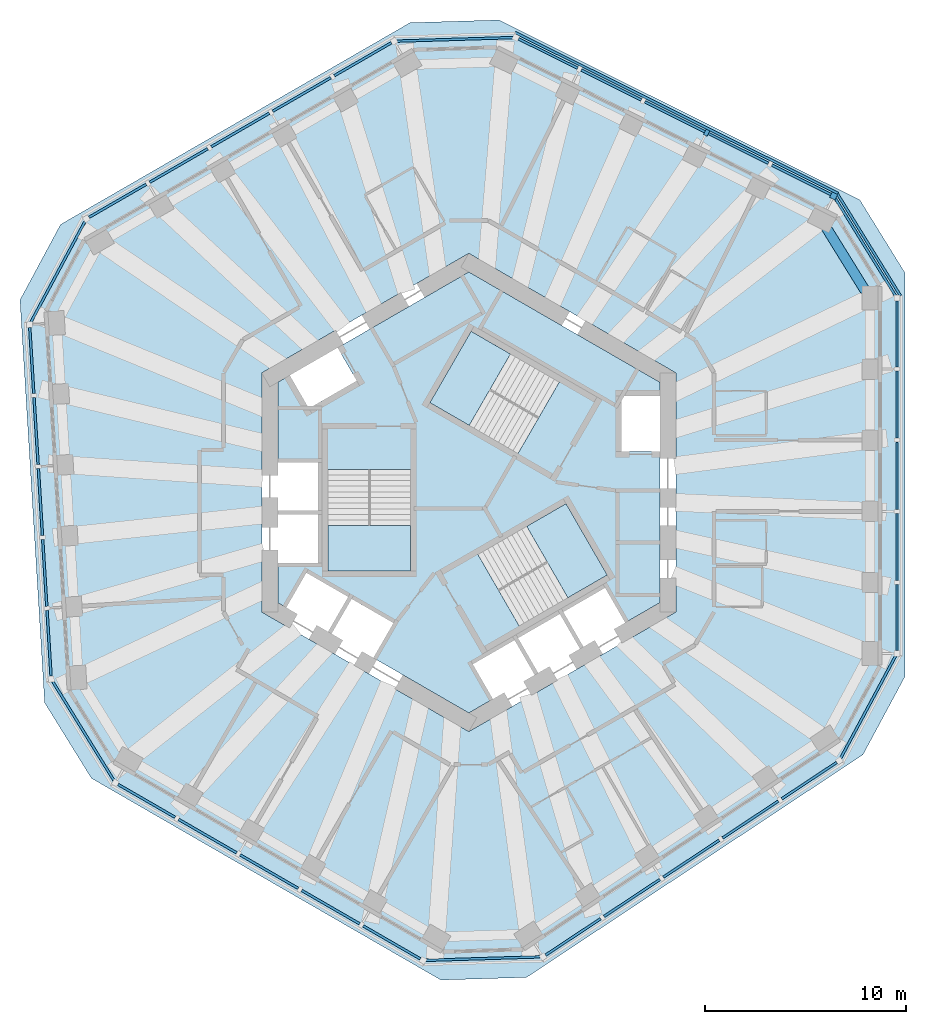
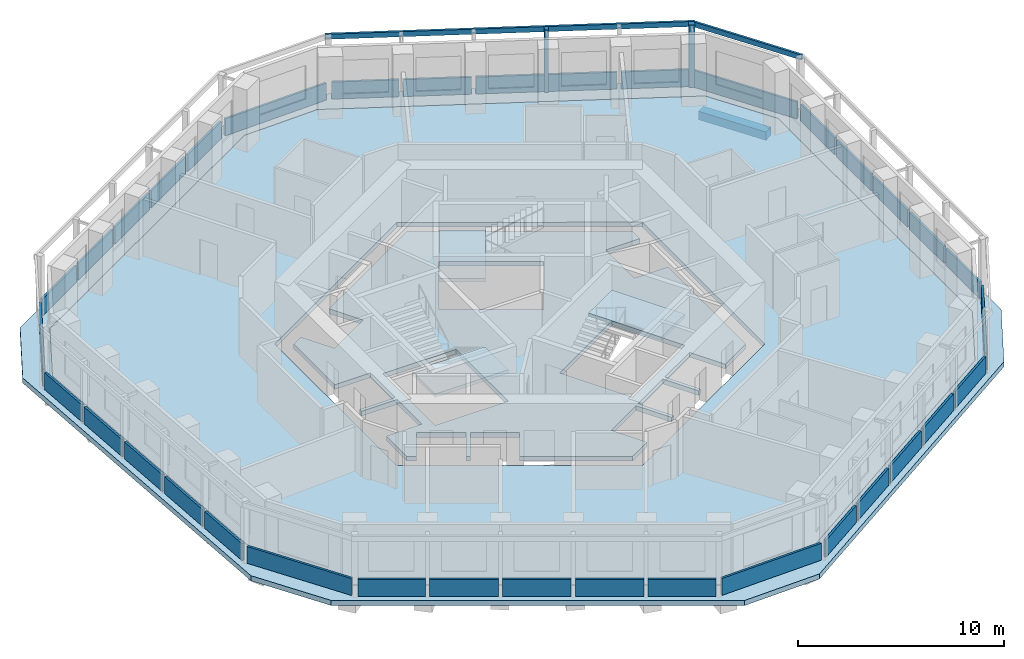
# One storey, part 3 of 11: 36 plates, 6 slabs, 4 members, 1 beam, 15 elements without a shape of their own.
"""IFC4 building model written with IfcOpenShell, lengths in metres."""

from ifc_helpers import new_model, si_unit, direction, frame, origin, origin_2d, place, context, subcontext, project, spatial, polyline, rectangle, outline, extrude, material, layer, layer_set, material_profile, profile_set, type_object, element, aggregate, save


model = new_model("IFC4")

# Units and contexts
model_context = context("Model", 3, precision=1e-05, world=origin(), true_north=direction((0.0, 1.0)))
body_context = subcontext(model_context, "Body", "Model", "MODEL_VIEW")
ifc_project = project(units=[si_unit("LENGTHUNIT", "METRE"), si_unit("AREAUNIT", "SQUARE_METRE"), si_unit("VOLUMEUNIT", "CUBIC_METRE"), si_unit("PLANEANGLEUNIT", "RADIAN"), si_unit("MASSUNIT", "GRAM", prefix="KILO")], contexts=[model_context])

# Site, building, storey
site_placement = place(None, origin())
site = spatial("IfcSite", under=ifc_project, at=site_placement, CompositionType="ELEMENT")
building_placement = place(site_placement, origin())
building = spatial("IfcBuilding", under=site, at=building_placement, Name="Vanh Sen Convention Tower", CompositionType="ELEMENT")
storey_placement = place(building_placement, frame((0.0, 0.0, 210.60009765625)))
storey = spatial("IfcBuildingStorey", under=building, at=storey_placement, Name="L52", CompositionType="ELEMENT", Elevation=210.60009765625)

# Curtain wall, members
ifc_material_1 = material(Name="Concrete C50/60", Category="concrete")
curtain_wall_type = type_object("IfcCurtainWallType", Name="Outer skin office zone", PredefinedType="NOTDEFINED", material=ifc_material_1)
curtain_wall_1_placement = place(storey_placement, origin())
curtain_wall_1 = element("IfcCurtainWall", 1, at=curtain_wall_1_placement, inside=storey, type_object=curtain_wall_type, Name="OUTER SKIN NE L52", PredefinedType="NOTDEFINED")
ifc_material_profile_1 = material_profile(ifc_material_1, rectangle(XDim=0.300048828125, YDim=0.300048828125, at=origin_2d()), Name="Outer skin precast corner fin 300 x 300")
ifc_profile_set_1 = profile_set([ifc_material_profile_1], Name="Concrete C50/60")
member_type_1 = type_object("IfcMemberType", Name="Outer skin precast corner fin 300 x 300", PredefinedType="MULLION", material=ifc_profile_set_1)
member_1_placement = place(storey_placement, frame((18.15380859375, 14.74951171875, 0.0), z_axis=(0.0, 0.0, 1.0), x_axis=(-0.894934361602, 0.44619781311, 0.0)))
member_1 = element("IfcMember", 2, at=member_1_placement, type_object=member_type_1, Name="OUTER SKIN CORNER FIN 1 NE L52", PredefinedType="MULLION", context=body_context, shape_type="SweptSolid", body=[
    extrude(rectangle(XDim=0.300048828125, YDim=0.300048828125, at=origin_2d()), origin(), (0.0, 0.0, 1.0), 3.699951171875),
])
ifc_material_profile_2 = material_profile(ifc_material_1, rectangle(XDim=0.199951171875, YDim=0.300048828125, at=origin_2d()), Name="Outer skin precast fin 200 x 300")
ifc_profile_set_2 = profile_set([ifc_material_profile_2], Name="Concrete C50/60")
member_type_2 = type_object("IfcMemberType", Name="Outer skin precast fin 200 x 300", PredefinedType="MULLION", material=ifc_profile_set_2)
member_2_placement = place(storey_placement, frame((11.8291015625, 17.90283203125, 0.0), z_axis=(0.0, 0.0, 1.0), x_axis=(-0.894934361602, 0.44619781311, 0.0)))
member_2 = element("IfcMember", 3, at=member_2_placement, type_object=member_type_2, Name="OUTER SKIN fin 3 NE L52", PredefinedType="MULLION", context=body_context, shape_type="SweptSolid", body=[
    extrude(rectangle(XDim=0.199951171875, YDim=0.300048828125, at=origin_2d()), origin(), (0.0, 0.0, 1.0), 3.699951171875),
])

# Curtain wall, member
curtain_wall_2_placement = place(storey_placement, origin())
curtain_wall_2 = element("IfcCurtainWall", 4, at=curtain_wall_2_placement, inside=storey, type_object=curtain_wall_type, Name="OUTER SKIN CH1 L52", PredefinedType="NOTDEFINED")
ifc_material_profile_3 = material_profile(ifc_material_1, rectangle(XDim=0.1201171875, YDim=0.300048828125, at=origin_2d()), Name="Outer skin precast spandrel band 300 x 120")
ifc_profile_set_3 = profile_set([ifc_material_profile_3], Name="Concrete C50/60")
member_type_3 = type_object("IfcMemberType", Name="Outer skin precast spandrel band 300 x 120", PredefinedType="USERDEFINED", material=ifc_profile_set_3)
member_3_placement = place(storey_placement, frame((21.478515625, 9.77587890625, 3.5498046875), z_axis=(-0.526187318786, 0.850368688011, 0.0), x_axis=(-0.850368688011, -0.526187318786, 0.0)))
member_3 = element("IfcMember", 5, at=member_3_placement, type_object=member_type_3, Name="OUTER SKIN spandrel band CH1 L52", ObjectType="TRANSOM", PredefinedType="USERDEFINED", context=body_context, shape_type="SweptSolid", body=[
    extrude(rectangle(XDim=0.1201171875, YDim=0.300048828125, at=origin_2d()), origin(), (0.0, 0.0, 1.0), 5.978759765625),
])

# Member
member_4_placement = place(storey_placement, frame((18.3818359375, 14.87060546875, 3.5498046875), z_axis=(-0.894940208367, 0.446186086121, 0.0), x_axis=(-0.446186086121, -0.894940208367, 0.0)))
member_4 = element("IfcMember", 6, at=member_4_placement, type_object=member_type_3, Name="OUTER SKIN spandrel band NE L52", ObjectType="TRANSOM", PredefinedType="USERDEFINED", context=body_context, shape_type="SweptSolid", body=[
    extrude(rectangle(XDim=0.1201171875, YDim=0.300048828125, at=origin_2d()), origin(), (0.0, 0.0, 1.0), 17.968017578125),
])

# Beam
ifc_material_2 = material(Name="Concrete C50/60", Category="concrete")
ifc_material_profile_4 = material_profile(ifc_material_2, rectangle(XDim=0.5, YDim=0.5, at=origin_2d()), Name="RC 500X500")
ifc_profile_set_4 = profile_set([ifc_material_profile_4], Name="Concrete C50/60")
beam_type = type_object("IfcBeamType", Name="Spandrel beam 500 x 500", PredefinedType="SPANDREL", material=ifc_profile_set_4)
beam_placement = place(storey_placement, frame((19.728271484375, 10.023681640625, -0.530029296875), z_axis=(-0.526207566628, 0.850356158808, 0.0), x_axis=(-0.850356158808, -0.526207566628, 0.0)))
element("IfcBeam", 7, at=beam_placement, inside=storey, type_object=beam_type, Name="Spandrel beam 06 L52", PredefinedType="SPANDREL", context=body_context, shape_type="SweptSolid", body=[
    extrude(rectangle(XDim=0.5, YDim=0.5, at=origin_2d()), origin(), (0.0, 0.0, 1.0), 3.71533203125),
])

# Slabs
ifc_material_3 = material(Name="Concrete C40/50", Category="concrete")
ifc_layer_1 = layer(ifc_material_3, 0.280029296875)
ifc_layer_set_1 = layer_set([ifc_layer_1], Name="Concrete C40/50")
slab_type_1 = type_object("IfcSlabType", Name="Core slab 280", PredefinedType="FLOOR", material=ifc_layer_set_1)
slab_1_placement = place(storey_placement, frame((0.0, 0.0, -0.280029296875)))
element("IfcSlab", 8, at=slab_1_placement, inside=storey, type_object=slab_type_1, Name="Core slab L52", PredefinedType="FLOOR", context=body_context, shape_type="SweptSolid", body=[
    extrude(outline(polyline([(0.0, 10.9697265625), (9.5, 5.48486328125), (9.5, 4.800048828125), (7.60009765625, 4.800048828125), (7.60009765625, 2.050048828125), (9.5, 2.050048828125), (9.5, -5.48486328125), (7.781005859375, -6.477294921875), (6.781005859375, -4.7451171875), (4.70263671875, -5.9453125), (5.70263671875, -7.67724609375), (5.529296875, -7.777099609375), (4.529296875, -6.045166015625), (2.450927734375, -7.2451171875), (3.450927734375, -8.977294921875), (3.27783203125, -9.0771484375), (2.27783203125, -7.34521484375), (0.19921875, -8.545166015625), (1.19921875, -10.277099609375), (0.0, -10.9697265625), (-4.75, -8.227294921875), (-3.75, -6.4951171875), (-5.82861328125, -5.295166015625), (-6.82861328125, -7.027099609375), (-7.001708984375, -6.92724609375), (-6.001708984375, -5.1953125), (-8.080078125, -3.9951171875), (-9.080078125, -5.727294921875), (-9.5, -5.48486328125), (-9.5, -3.5), (-7.5, -3.5), (-7.5, -1.10009765625), (-9.5, -1.10009765625), (-9.5, -0.89990234375), (-7.5, -0.89990234375), (-7.5, 1.5), (-9.5, 1.5), (-9.5, 5.48486328125), (-8.906982421875, 5.8271484375), (-7.956787109375, 4.181884765625), (-5.575439453125, 5.556884765625), (-6.525390625, 7.2021484375), (0.0, 10.9697265625)]), holes=[polyline([(-7.0, 1.1494140625), (-7.0, -3.909912109375), (-2.89990234375, -3.909912109375), (-2.89990234375, 1.1494140625), (-7.0, 1.1494140625)]), polyline([(2.504638671875, -6.63671875), (6.88623046875, -4.107177734375), (4.836181640625, -0.556396484375), (0.45458984375, -3.086181640625), (2.504638671875, -6.63671875)]), polyline([(0.11376953125, 8.01708984375), (-1.936279296875, 4.466552734375), (2.4453125, 1.936767578125), (4.495361328125, 5.487548828125), (0.11376953125, 8.01708984375)])]), origin(), (0.0, 0.0, 1.0), 0.280029296875),
])
ifc_layer_2 = layer(ifc_material_3, 0.280029296875)
ifc_layer_set_2 = layer_set([ifc_layer_2], Name="Concrete C40/50")
slab_type_2 = type_object("IfcSlabType", Name="Floor slab 280 REI 120", PredefinedType="FLOOR", material=ifc_layer_set_2)
slab_2_placement = place(storey_placement, frame((0.0, 0.0, -0.280029296875)))
element("IfcSlab", 9, at=slab_2_placement, inside=storey, type_object=slab_type_2, Name="Floor slab L52 tower", PredefinedType="FLOOR", context=body_context, shape_type="SweptSolid", body=[
    extrude(outline(polyline([(20.39990234375, -8.602783203125), (20.39990234375, 10.265380859375), (18.289306640625, 13.67626953125), (1.403564453125, 22.09521484375), (-2.749755859375, 21.96826171875), (-19.090087890625, 12.5341796875), (-20.988525390625, 9.000732421875), (-19.8369140625, -9.83203125), (-17.650146484375, -13.365478515625), (-1.309814453125, -22.799560546875), (2.699462890625, -22.677001953125), (18.433349609375, -12.26318359375), (20.39990234375, -8.602783203125)]), holes=[polyline([(0.0, 11.893310546875), (-10.300048828125, 5.94677734375), (-10.300048828125, -5.94677734375), (0.0, -11.893310546875), (10.300048828125, -5.94677734375), (10.300048828125, 5.94677734375), (0.0, 11.893310546875)])]), origin(), (0.0, 0.0, 1.0), 0.280029296875),
])

# Curtain wall, plates
curtain_wall_3_placement = place(storey_placement, origin())
curtain_wall_3 = element("IfcCurtainWall", 10, at=curtain_wall_3_placement, inside=storey, type_object=curtain_wall_type, Name="OUTER SKIN E L52", PredefinedType="NOTDEFINED")
ifc_layer_3 = layer(ifc_material_1, 0.1201171875)
ifc_layer_set_3 = layer_set([ifc_layer_3], Name="Concrete C50/60")
plate_type = type_object("IfcPlateType", Name="Outer skin precast screen panel 120", PredefinedType="CURTAIN_PANEL", material=ifc_layer_set_3)
plate_1_placement = place(storey_placement, frame((21.300048828125, -6.2109375, 0.0), z_axis=(0.0, 0.0, 1.0), x_axis=(0.0, 1.0, 0.0)))
plate_1 = element("IfcPlate", 11, at=plate_1_placement, type_object=plate_type, Name="OUTER SKIN screen panel E-1", PredefinedType="CURTAIN_PANEL", context=body_context, shape_type="SweptSolid", body=[
    extrude(rectangle(XDim=3.28369140625, YDim=0.1201171875, at=origin_2d()), origin(), (0.0, 0.0, 1.0), 1.0),
])
plate_2_placement = place(storey_placement, frame((21.300048828125, -2.702392578125, 0.0), z_axis=(0.0, 0.0, 1.0), x_axis=(0.0, 1.0, 0.0)))
plate_2 = element("IfcPlate", 12, at=plate_2_placement, type_object=plate_type, Name="OUTER SKIN screen panel E-2", PredefinedType="CURTAIN_PANEL", context=body_context, shape_type="SweptSolid", body=[
    extrude(rectangle(XDim=3.333740234375, YDim=0.1201171875, at=origin_2d()), origin(), (0.0, 0.0, 1.0), 1.0),
])
plate_3_placement = place(storey_placement, frame((21.300048828125, 0.831298828125, 0.0), z_axis=(0.0, 0.0, 1.0), x_axis=(0.0, 1.0, 0.0)))
plate_3 = element("IfcPlate", 13, at=plate_3_placement, type_object=plate_type, Name="OUTER SKIN screen panel E-3", PredefinedType="CURTAIN_PANEL", context=body_context, shape_type="SweptSolid", body=[
    extrude(rectangle(XDim=3.33349609375, YDim=0.1201171875, at=origin_2d()), origin(), (0.0, 0.0, 1.0), 1.0),
])
plate_4_placement = place(storey_placement, frame((21.300048828125, 4.364990234375, 0.0), z_axis=(0.0, 0.0, 1.0), x_axis=(0.0, 1.0, 0.0)))
plate_4 = element("IfcPlate", 14, at=plate_4_placement, type_object=plate_type, Name="OUTER SKIN screen panel E-4", PredefinedType="CURTAIN_PANEL", context=body_context, shape_type="SweptSolid", body=[
    extrude(rectangle(XDim=3.33349609375, YDim=0.1201171875, at=origin_2d()), origin(), (0.0, 0.0, 1.0), 1.0),
])
plate_5_placement = place(storey_placement, frame((21.300048828125, 7.87353515625, 0.0), z_axis=(0.0, 0.0, 1.0), x_axis=(0.0, 1.0, 0.0)))
plate_5 = element("IfcPlate", 15, at=plate_5_placement, type_object=plate_type, Name="OUTER SKIN screen panel E-5", PredefinedType="CURTAIN_PANEL", context=body_context, shape_type="SweptSolid", body=[
    extrude(rectangle(XDim=3.28369140625, YDim=0.1201171875, at=origin_2d()), origin(), (0.0, 0.0, 1.0), 1.0),
])
aggregate(curtain_wall_3, [plate_1, plate_2, plate_3, plate_4, plate_5])

# Plate
plate_6_placement = place(storey_placement, frame((19.726806640625, 12.20751953125, 0.0), z_axis=(0.0, 0.0, 1.0), x_axis=(-0.526216891938, 0.850350388157, 0.0)))
plate_6 = element("IfcPlate", 16, at=plate_6_placement, type_object=plate_type, Name="OUTER SKIN screen panel CH1-1", PredefinedType="CURTAIN_PANEL", context=body_context, shape_type="SweptSolid", body=[
    extrude(rectangle(XDim=5.6787109375, YDim=0.1201171875, at=origin_2d()), origin(), (0.0, 0.0, 1.0), 1.0),
])

aggregate(curtain_wall_2, [member_3, plate_6])

plate_7_placement = place(storey_placement, frame((16.55029296875, 15.549072265625, 0.0), z_axis=(0.0, 0.0, 1.0), x_axis=(-0.894930467757, 0.446205622868, 0.0)))
plate_7 = element("IfcPlate", 17, at=plate_7_placement, type_object=plate_type, Name="OUTER SKIN screen panel NE-1", PredefinedType="CURTAIN_PANEL", context=body_context, shape_type="SweptSolid", body=[
    extrude(rectangle(XDim=3.28369140625, YDim=0.1201171875, at=origin_2d()), origin(), (0.0, 0.0, 1.0), 1.0),
])

plate_8_placement = place(storey_placement, frame((13.410400390625, 17.114501953125, 0.0), z_axis=(0.0, 0.0, 1.0), x_axis=(-0.894935919121, 0.446194689197, 0.0)))
plate_8 = element("IfcPlate", 18, at=plate_8_placement, type_object=plate_type, Name="OUTER SKIN screen panel NE-2", PredefinedType="CURTAIN_PANEL", context=body_context, shape_type="SweptSolid", body=[
    extrude(rectangle(XDim=3.333740234375, YDim=0.1201171875, at=origin_2d()), origin(), (0.0, 0.0, 1.0), 1.0),
])

plate_9_placement = place(storey_placement, frame((10.248046875, 18.691162109375, 0.0), z_axis=(0.0, 0.0, 1.0), x_axis=(-0.894935919121, 0.446194689197, 0.0)))
plate_9 = element("IfcPlate", 19, at=plate_9_placement, type_object=plate_type, Name="OUTER SKIN screen panel NE-3", PredefinedType="CURTAIN_PANEL", context=body_context, shape_type="SweptSolid", body=[
    extrude(rectangle(XDim=3.333740234375, YDim=0.1201171875, at=origin_2d()), origin(), (0.0, 0.0, 1.0), 1.0),
])

plate_10_placement = place(storey_placement, frame((7.085693359375, 20.267822265625, 0.0), z_axis=(0.0, 0.0, 1.0), x_axis=(-0.894935919121, 0.446194689197, 0.0)))
plate_10 = element("IfcPlate", 20, at=plate_10_placement, type_object=plate_type, Name="OUTER SKIN screen panel NE-4", PredefinedType="CURTAIN_PANEL", context=body_context, shape_type="SweptSolid", body=[
    extrude(rectangle(XDim=3.333740234375, YDim=0.1201171875, at=origin_2d()), origin(), (0.0, 0.0, 1.0), 1.0),
])

plate_11_placement = place(storey_placement, frame((3.945556640625, 21.83349609375, 0.0), z_axis=(0.0, 0.0, 1.0), x_axis=(-0.894930467757, 0.446205622868, 0.0)))
plate_11 = element("IfcPlate", 21, at=plate_11_placement, type_object=plate_type, Name="OUTER SKIN screen panel NE-5", PredefinedType="CURTAIN_PANEL", context=body_context, shape_type="SweptSolid", body=[
    extrude(rectangle(XDim=3.28369140625, YDim=0.1201171875, at=origin_2d()), origin(), (0.0, 0.0, 1.0), 1.0),
])

aggregate(curtain_wall_1, [member_1, member_2, member_4, plate_7, plate_8, plate_9, plate_10, plate_11])

# Curtain wall, plate
curtain_wall_4_placement = place(storey_placement, origin())
curtain_wall_4 = element("IfcCurtainWall", 22, at=curtain_wall_4_placement, inside=storey, type_object=curtain_wall_type, Name="OUTER SKIN CH2 L52", PredefinedType="NOTDEFINED")
plate_12_placement = place(storey_placement, frame((-0.688720703125, 22.540283203125, 0.0), z_axis=(0.0, 0.0, 1.0), x_axis=(-0.999533430924, -0.030543746755, 0.0)))
plate_12 = element("IfcPlate", 23, at=plate_12_placement, type_object=plate_type, Name="OUTER SKIN screen panel CH2-1", PredefinedType="CURTAIN_PANEL", context=body_context, shape_type="SweptSolid", body=[
    extrude(rectangle(XDim=5.764404296875, YDim=0.1201171875, at=origin_2d()), origin(), (0.0, 0.0, 1.0), 1.0),
])
aggregate(curtain_wall_4, [plate_12])

# Curtain wall, plates
curtain_wall_5_placement = place(storey_placement, origin())
curtain_wall_5 = element("IfcCurtainWall", 24, at=curtain_wall_5_placement, inside=storey, type_object=curtain_wall_type, Name="OUTER SKIN NW L52", PredefinedType="NOTDEFINED")
plate_13_placement = place(storey_placement, frame((-5.271240234375, 21.5517578125, 0.0), z_axis=(0.0, 0.0, 1.0), x_axis=(-0.866026276448, -0.4999984885, 0.0)))
plate_13 = element("IfcPlate", 25, at=plate_13_placement, type_object=plate_type, Name="OUTER SKIN screen panel NW-1", PredefinedType="CURTAIN_PANEL", context=body_context, shape_type="SweptSolid", body=[
    extrude(rectangle(XDim=3.28369140625, YDim=0.1201171875, at=origin_2d()), origin(), (0.0, 0.0, 1.0), 1.0),
])
plate_14_placement = place(storey_placement, frame((-8.309814453125, 19.797607421875, 0.0), z_axis=(0.0, 0.0, 1.0), x_axis=(-0.866026276448, -0.4999984885, 0.0)))
plate_14 = element("IfcPlate", 26, at=plate_14_placement, type_object=plate_type, Name="OUTER SKIN screen panel NW-2", PredefinedType="CURTAIN_PANEL", context=body_context, shape_type="SweptSolid", body=[
    extrude(rectangle(XDim=3.33349609375, YDim=0.1201171875, at=origin_2d()), origin(), (0.0, 0.0, 1.0), 1.0),
])
plate_15_placement = place(storey_placement, frame((-11.369873046875, 18.03076171875, 0.0), z_axis=(0.0, 0.0, 1.0), x_axis=(-0.866026276448, -0.4999984885, 0.0)))
plate_15 = element("IfcPlate", 27, at=plate_15_placement, type_object=plate_type, Name="OUTER SKIN screen panel NW-3", PredefinedType="CURTAIN_PANEL", context=body_context, shape_type="SweptSolid", body=[
    extrude(rectangle(XDim=3.33349609375, YDim=0.1201171875, at=origin_2d()), origin(), (0.0, 0.0, 1.0), 1.0),
])
plate_16_placement = place(storey_placement, frame((-14.43017578125, 16.263916015625, 0.0), z_axis=(0.0, 0.0, 1.0), x_axis=(-0.866014058921, -0.500019649364, 0.0)))
plate_16 = element("IfcPlate", 28, at=plate_16_placement, type_object=plate_type, Name="OUTER SKIN screen panel NW-4", PredefinedType="CURTAIN_PANEL", context=body_context, shape_type="SweptSolid", body=[
    extrude(rectangle(XDim=3.333740234375, YDim=0.1201171875, at=origin_2d()), origin(), (0.0, 0.0, 1.0), 1.0),
])
plate_17_placement = place(storey_placement, frame((-17.46875, 14.509521484375, 0.0), z_axis=(0.0, 0.0, 1.0), x_axis=(-0.866033257659, -0.499986396443, 0.0)))
plate_17 = element("IfcPlate", 29, at=plate_17_placement, type_object=plate_type, Name="OUTER SKIN screen panel NW-5", PredefinedType="CURTAIN_PANEL", context=body_context, shape_type="SweptSolid", body=[
    extrude(rectangle(XDim=3.28369140625, YDim=0.1201171875, at=origin_2d()), origin(), (0.0, 0.0, 1.0), 1.0),
])
aggregate(curtain_wall_5, [plate_13, plate_14, plate_15, plate_16, plate_17])

# Curtain wall, plate
curtain_wall_6_placement = place(storey_placement, origin())
curtain_wall_6 = element("IfcCurtainWall", 30, at=curtain_wall_6_placement, inside=storey, type_object=curtain_wall_type, Name="OUTER SKIN CH3 L52", PredefinedType="NOTDEFINED")
plate_18_placement = place(storey_placement, frame((-20.435302734375, 10.980224609375, 0.0), z_axis=(0.0, 0.0, 1.0), x_axis=(-0.473307367584, -0.880897346909, 0.0)))
plate_18 = element("IfcPlate", 31, at=plate_18_placement, type_object=plate_type, Name="OUTER SKIN screen panel CH3-1", PredefinedType="CURTAIN_PANEL", context=body_context, shape_type="SweptSolid", body=[
    extrude(rectangle(XDim=5.6787109375, YDim=0.1201171875, at=origin_2d()), origin(), (0.0, 0.0, 1.0), 1.0),
])
aggregate(curtain_wall_6, [plate_18])

# Curtain wall, plates
curtain_wall_7_placement = place(storey_placement, origin())
curtain_wall_7 = element("IfcCurtainWall", 32, at=curtain_wall_7_placement, inside=storey, type_object=curtain_wall_type, Name="OUTER SKIN W L52", PredefinedType="NOTDEFINED")
plate_19_placement = place(storey_placement, frame((-21.740966796875, 6.55859375, 0.0), z_axis=(0.0, 0.0, 1.0), x_axis=(0.061043313312, -0.998135118058, 0.0)))
plate_19 = element("IfcPlate", 33, at=plate_19_placement, type_object=plate_type, Name="OUTER SKIN screen panel W-1", PredefinedType="CURTAIN_PANEL", context=body_context, shape_type="SweptSolid", body=[
    extrude(rectangle(XDim=3.28369140625, YDim=0.1201171875, at=origin_2d()), origin(), (0.0, 0.0, 1.0), 1.0),
])
plate_20_placement = place(storey_placement, frame((-21.526611328125, 3.056396484375, 0.0), z_axis=(0.0, 0.0, 1.0), x_axis=(0.061041571238, -0.998135224597, 0.0)))
plate_20 = element("IfcPlate", 34, at=plate_20_placement, type_object=plate_type, Name="OUTER SKIN screen panel W-2", PredefinedType="CURTAIN_PANEL", context=body_context, shape_type="SweptSolid", body=[
    extrude(rectangle(XDim=3.333740234375, YDim=0.1201171875, at=origin_2d()), origin(), (0.0, 0.0, 1.0), 1.0),
])
plate_21_placement = place(storey_placement, frame((-21.31103515625, -0.470703125, 0.0), z_axis=(0.0, 0.0, 1.0), x_axis=(0.061043313312, -0.998135118058, 0.0)))
plate_21 = element("IfcPlate", 35, at=plate_21_placement, type_object=plate_type, Name="OUTER SKIN screen panel W-3", PredefinedType="CURTAIN_PANEL", context=body_context, shape_type="SweptSolid", body=[
    extrude(rectangle(XDim=3.33349609375, YDim=0.1201171875, at=origin_2d()), origin(), (0.0, 0.0, 1.0), 1.0),
])
plate_22_placement = place(storey_placement, frame((-21.09521484375, -3.99755859375, 0.0), z_axis=(0.0, 0.0, 1.0), x_axis=(0.061043313312, -0.998135118058, 0.0)))
plate_22 = element("IfcPlate", 36, at=plate_22_placement, type_object=plate_type, Name="OUTER SKIN screen panel W-4", PredefinedType="CURTAIN_PANEL", context=body_context, shape_type="SweptSolid", body=[
    extrude(rectangle(XDim=3.33349609375, YDim=0.1201171875, at=origin_2d()), origin(), (0.0, 0.0, 1.0), 1.0),
])
plate_23_placement = place(storey_placement, frame((-20.881103515625, -7.499755859375, 0.0), z_axis=(0.0, 0.0, 1.0), x_axis=(0.061069444408, -0.998133519605, 0.0)))
plate_23 = element("IfcPlate", 37, at=plate_23_placement, type_object=plate_type, Name="OUTER SKIN screen panel W-5", PredefinedType="CURTAIN_PANEL", context=body_context, shape_type="SweptSolid", body=[
    extrude(rectangle(XDim=3.28369140625, YDim=0.1201171875, at=origin_2d()), origin(), (0.0, 0.0, 1.0), 1.0),
])
aggregate(curtain_wall_7, [plate_19, plate_20, plate_21, plate_22, plate_23])

# Curtain wall, plate
curtain_wall_8_placement = place(storey_placement, origin())
curtain_wall_8 = element("IfcCurtainWall", 38, at=curtain_wall_8_placement, inside=storey, type_object=curtain_wall_type, Name="OUTER SKIN CH4 L52", PredefinedType="NOTDEFINED")
plate_24_placement = place(storey_placement, frame((-19.176025390625, -11.86669921875, 0.0), z_axis=(0.0, 0.0, 1.0), x_axis=(0.526215407796, -0.850351306578, 0.0)))
plate_24 = element("IfcPlate", 39, at=plate_24_placement, type_object=plate_type, Name="OUTER SKIN screen panel CH4-1", PredefinedType="CURTAIN_PANEL", context=body_context, shape_type="SweptSolid", body=[
    extrude(rectangle(XDim=5.76416015625, YDim=0.1201171875, at=origin_2d()), origin(), (0.0, 0.0, 1.0), 1.0),
])
aggregate(curtain_wall_8, [plate_24])

# Curtain wall, plates
curtain_wall_9_placement = place(storey_placement, origin())
curtain_wall_9 = element("IfcCurtainWall", 40, at=curtain_wall_9_placement, inside=storey, type_object=curtain_wall_type, Name="OUTER SKIN SW L52", PredefinedType="NOTDEFINED")
plate_25_placement = place(storey_placement, frame((-16.02880859375, -15.3408203125, 0.0), z_axis=(0.0, 0.0, 1.0), x_axis=(0.866026276448, -0.4999984885, 0.0)))
plate_25 = element("IfcPlate", 41, at=plate_25_placement, type_object=plate_type, Name="OUTER SKIN screen panel SW-1", PredefinedType="CURTAIN_PANEL", context=body_context, shape_type="SweptSolid", body=[
    extrude(rectangle(XDim=3.28369140625, YDim=0.1201171875, at=origin_2d()), origin(), (0.0, 0.0, 1.0), 1.0),
])
plate_26_placement = place(storey_placement, frame((-12.990234375, -17.09521484375, 0.0), z_axis=(0.0, 0.0, 1.0), x_axis=(0.866026276448, -0.4999984885, 0.0)))
plate_26 = element("IfcPlate", 42, at=plate_26_placement, type_object=plate_type, Name="OUTER SKIN screen panel SW-2", PredefinedType="CURTAIN_PANEL", context=body_context, shape_type="SweptSolid", body=[
    extrude(rectangle(XDim=3.33349609375, YDim=0.1201171875, at=origin_2d()), origin(), (0.0, 0.0, 1.0), 1.0),
])
plate_27_placement = place(storey_placement, frame((-9.93017578125, -18.862060546875, 0.0), z_axis=(0.0, 0.0, 1.0), x_axis=(0.866014058921, -0.500019649364, 0.0)))
plate_27 = element("IfcPlate", 43, at=plate_27_placement, type_object=plate_type, Name="OUTER SKIN screen panel SW-3", PredefinedType="CURTAIN_PANEL", context=body_context, shape_type="SweptSolid", body=[
    extrude(rectangle(XDim=3.333740234375, YDim=0.1201171875, at=origin_2d()), origin(), (0.0, 0.0, 1.0), 1.0),
])
plate_28_placement = place(storey_placement, frame((-6.869873046875, -20.62890625, 0.0), z_axis=(0.0, 0.0, 1.0), x_axis=(0.866026276448, -0.4999984885, 0.0)))
plate_28 = element("IfcPlate", 44, at=plate_28_placement, type_object=plate_type, Name="OUTER SKIN screen panel SW-4", PredefinedType="CURTAIN_PANEL", context=body_context, shape_type="SweptSolid", body=[
    extrude(rectangle(XDim=3.33349609375, YDim=0.1201171875, at=origin_2d()), origin(), (0.0, 0.0, 1.0), 1.0),
])
plate_29_placement = place(storey_placement, frame((-3.831298828125, -22.383056640625, 0.0), z_axis=(0.0, 0.0, 1.0), x_axis=(0.866033257659, -0.499986396443, 0.0)))
plate_29 = element("IfcPlate", 45, at=plate_29_placement, type_object=plate_type, Name="OUTER SKIN screen panel SW-5", PredefinedType="CURTAIN_PANEL", context=body_context, shape_type="SweptSolid", body=[
    extrude(rectangle(XDim=3.28369140625, YDim=0.1201171875, at=origin_2d()), origin(), (0.0, 0.0, 1.0), 1.0),
])
aggregate(curtain_wall_9, [plate_25, plate_26, plate_27, plate_28, plate_29])

# Curtain wall, plate
curtain_wall_10_placement = place(storey_placement, origin())
curtain_wall_10 = element("IfcCurtainWall", 46, at=curtain_wall_10_placement, inside=storey, type_object=curtain_wall_type, Name="OUTER SKIN CH5 L52", PredefinedType="NOTDEFINED")
plate_30_placement = place(storey_placement, frame((0.70849609375, -23.187744140625, 0.0), z_axis=(0.0, 0.0, 1.0), x_axis=(0.999533537535, 0.030540257725, 0.0)))
plate_30 = element("IfcPlate", 47, at=plate_30_placement, type_object=plate_type, Name="OUTER SKIN screen panel CH5-1", PredefinedType="CURTAIN_PANEL", context=body_context, shape_type="SweptSolid", body=[
    extrude(rectangle(XDim=5.6787109375, YDim=0.1201171875, at=origin_2d()), origin(), (0.0, 0.0, 1.0), 1.0),
])
aggregate(curtain_wall_10, [plate_30])

# Curtain wall, plates
curtain_wall_11_placement = place(storey_placement, origin())
curtain_wall_11 = element("IfcCurtainWall", 48, at=curtain_wall_11_placement, inside=storey, type_object=curtain_wall_type, Name="OUTER SKIN SE L52", PredefinedType="NOTDEFINED")
plate_31_placement = place(storey_placement, frame((5.190673828125, -22.107421875, 0.0), z_axis=(0.0, 0.0, 1.0), x_axis=(0.833896418343, 0.551920975752, 0.0)))
plate_31 = element("IfcPlate", 49, at=plate_31_placement, type_object=plate_type, Name="OUTER SKIN screen panel SE-1", PredefinedType="CURTAIN_PANEL", context=body_context, shape_type="SweptSolid", body=[
    extrude(rectangle(XDim=3.28369140625, YDim=0.1201171875, at=origin_2d()), origin(), (0.0, 0.0, 1.0), 1.0),
])
plate_32_placement = place(storey_placement, frame((8.116455078125, -20.1708984375, 0.0), z_axis=(0.0, 0.0, 1.0), x_axis=(0.833874262143, 0.551954450055, 0.0)))
plate_32 = element("IfcPlate", 50, at=plate_32_placement, type_object=plate_type, Name="OUTER SKIN screen panel SE-2", PredefinedType="CURTAIN_PANEL", context=body_context, shape_type="SweptSolid", body=[
    extrude(rectangle(XDim=3.33349609375, YDim=0.1201171875, at=origin_2d()), origin(), (0.0, 0.0, 1.0), 1.0),
])
plate_33_placement = place(storey_placement, frame((11.06298828125, -18.220703125, 0.0), z_axis=(0.0, 0.0, 1.0), x_axis=(0.833896418343, 0.551920975752, 0.0)))
plate_33 = element("IfcPlate", 51, at=plate_33_placement, type_object=plate_type, Name="OUTER SKIN screen panel SE-3", PredefinedType="CURTAIN_PANEL", context=body_context, shape_type="SweptSolid", body=[
    extrude(rectangle(XDim=3.333740234375, YDim=0.1201171875, at=origin_2d()), origin(), (0.0, 0.0, 1.0), 1.0),
])
plate_34_placement = place(storey_placement, frame((14.009765625, -16.270263671875, 0.0), z_axis=(0.0, 0.0, 1.0), x_axis=(0.833874262143, 0.551954450055, 0.0)))
plate_34 = element("IfcPlate", 52, at=plate_34_placement, type_object=plate_type, Name="OUTER SKIN screen panel SE-4", PredefinedType="CURTAIN_PANEL", context=body_context, shape_type="SweptSolid", body=[
    extrude(rectangle(XDim=3.33349609375, YDim=0.1201171875, at=origin_2d()), origin(), (0.0, 0.0, 1.0), 1.0),
])
plate_35_placement = place(storey_placement, frame((16.935546875, -14.333740234375, 0.0), z_axis=(0.0, 0.0, 1.0), x_axis=(0.833896418343, 0.551920975752, 0.0)))
plate_35 = element("IfcPlate", 53, at=plate_35_placement, type_object=plate_type, Name="OUTER SKIN screen panel SE-5", PredefinedType="CURTAIN_PANEL", context=body_context, shape_type="SweptSolid", body=[
    extrude(rectangle(XDim=3.28369140625, YDim=0.1201171875, at=origin_2d()), origin(), (0.0, 0.0, 1.0), 1.0),
])
aggregate(curtain_wall_11, [plate_31, plate_32, plate_33, plate_34, plate_35])

# Curtain wall, plate
curtain_wall_12_placement = place(storey_placement, origin())
curtain_wall_12 = element("IfcCurtainWall", 54, at=curtain_wall_12_placement, inside=storey, type_object=curtain_wall_type, Name="OUTER SKIN CH6 L52", PredefinedType="NOTDEFINED")
plate_36_placement = place(storey_placement, frame((19.864990234375, -10.673828125, 0.0), z_axis=(0.0, 0.0, 1.0), x_axis=(0.473313517396, 0.880894042579, 0.0)))
plate_36 = element("IfcPlate", 55, at=plate_36_placement, type_object=plate_type, Name="OUTER SKIN screen panel CH6-1", PredefinedType="CURTAIN_PANEL", context=body_context, shape_type="SweptSolid", body=[
    extrude(rectangle(XDim=5.76416015625, YDim=0.1201171875, at=origin_2d()), origin(), (0.0, 0.0, 1.0), 1.0),
])
aggregate(curtain_wall_12, [plate_36])

# Slab
ifc_layer_4 = layer(ifc_material_3, 0.300048828125)
ifc_layer_set_4 = layer_set([ifc_layer_4], Name="Concrete C40/50")
slab_type_3 = type_object("IfcSlabType", Name="Roof ledge slab 300 REI 120", PredefinedType="ROOF", material=ifc_layer_set_4)
slab_3_placement = place(storey_placement, frame((0.0, 0.0, -0.300048828125)))
element("IfcSlab", 56, at=slab_3_placement, inside=storey, type_object=slab_type_3, Name="Setback roof ledge L52", PredefinedType="ROOF", context=body_context, shape_type="SweptSolid", body=[
    extrude(outline(polyline([(21.699951171875, -9.15087890625), (21.699951171875, 10.91943359375), (19.454833984375, 14.5478515625), (1.492919921875, 23.503173828125), (-2.925048828125, 23.368408203125), (-20.306640625, 13.3330078125), (-22.326171875, 9.574462890625), (-21.100830078125, -10.458740234375), (-18.77490234375, -14.21728515625), (-1.393310546875, -24.25244140625), (2.871337890625, -24.122314453125), (19.60791015625, -13.04443359375), (21.699951171875, -9.15087890625)]), holes=[polyline([(20.39990234375, 10.265380859375), (18.289306640625, 13.67626953125), (1.403564453125, 22.09521484375), (-2.749755859375, 21.96826171875), (-19.090087890625, 12.5341796875), (-20.988525390625, 9.000732421875), (-19.8369140625, -9.83203125), (-17.650146484375, -13.365478515625), (-1.309814453125, -22.799560546875), (2.699462890625, -22.677001953125), (18.433349609375, -12.26318359375), (20.39990234375, -8.602783203125), (20.39990234375, 10.265380859375)])]), origin(), (0.0, 0.0, 1.0), 0.300048828125),
])

# Stair, slab
ifc_material_4 = material(Name="Concrete C50/60", Category="concrete")
stair_type_1 = type_object("IfcStairType", Name="Exit stair ST1 22 risers at 168.2", PredefinedType="HALF_TURN_STAIR", material=ifc_material_4)
stair_1_placement = place(storey_placement, origin())
stair_1 = element("IfcStair", 57, at=stair_1_placement, inside=storey, type_object=stair_type_1, Name="Exit stair ST1 L52", PredefinedType="HALF_TURN_STAIR")
ifc_layer_5 = layer(ifc_material_3, 0.199951171875)
ifc_layer_set_5 = layer_set([ifc_layer_5], Name="Concrete C40/50")
slab_type_4 = type_object("IfcSlabType", Name="Stair landing 200", PredefinedType="LANDING", material=ifc_layer_set_5)
slab_4_placement = place(storey_placement, frame((0.0, 0.0, 1.64990234375)))
slab_4 = element("IfcSlab", 58, at=slab_4_placement, type_object=slab_type_4, Name="ST1 landing 1", PredefinedType="LANDING", context=body_context, shape_type="SweptSolid", body=[
    extrude(outline(polyline([(2.07177734375, 6.88671875), (0.11376953125, 8.01708984375), (-1.936279296875, 4.466552734375), (0.021728515625, 3.336181640625), (2.07177734375, 6.88671875)])), origin(), (0.0, 0.0, 1.0), 0.199951171875),
])
aggregate(stair_1, [slab_4])

stair_type_2 = type_object("IfcStairType", Name="Exit stair ST2 22 risers at 168.2", PredefinedType="HALF_TURN_STAIR", material=ifc_material_4)
stair_2_placement = place(storey_placement, origin())
stair_2 = element("IfcStair", 59, at=stair_2_placement, inside=storey, type_object=stair_type_2, Name="Exit stair ST2 L52", PredefinedType="HALF_TURN_STAIR")
slab_5_placement = place(storey_placement, frame((0.0, 0.0, 1.64990234375)))
slab_5 = element("IfcSlab", 60, at=slab_5_placement, type_object=slab_type_4, Name="ST2 landing 1", PredefinedType="LANDING", context=body_context, shape_type="SweptSolid", body=[
    extrude(outline(polyline([(-7.0, -1.6494140625), (-7.0, -3.909912109375), (-2.89990234375, -3.909912109375), (-2.89990234375, -1.6494140625), (-7.0, -1.6494140625)])), origin(), (0.0, 0.0, 1.0), 0.199951171875),
])
aggregate(stair_2, [slab_5])

stair_type_3 = type_object("IfcStairType", Name="Exit stair ST3 22 risers at 168.2", PredefinedType="HALF_TURN_STAIR", material=ifc_material_4)
stair_3_placement = place(storey_placement, origin())
stair_3 = element("IfcStair", 61, at=stair_3_placement, inside=storey, type_object=stair_type_3, Name="Exit stair ST3 L52", PredefinedType="HALF_TURN_STAIR")
slab_6_placement = place(storey_placement, frame((0.0, 0.0, 1.64990234375)))
slab_6 = element("IfcSlab", 62, at=slab_6_placement, type_object=slab_type_4, Name="ST3 landing 1", PredefinedType="LANDING", context=body_context, shape_type="SweptSolid", body=[
    extrude(outline(polyline([(4.92822265625, -5.237548828125), (6.88623046875, -4.107177734375), (4.836181640625, -0.556396484375), (2.87841796875, -1.686767578125), (4.92822265625, -5.237548828125)])), origin(), (0.0, 0.0, 1.0), 0.199951171875),
])
aggregate(stair_3, [slab_6])

save(model, "model.ifc")
